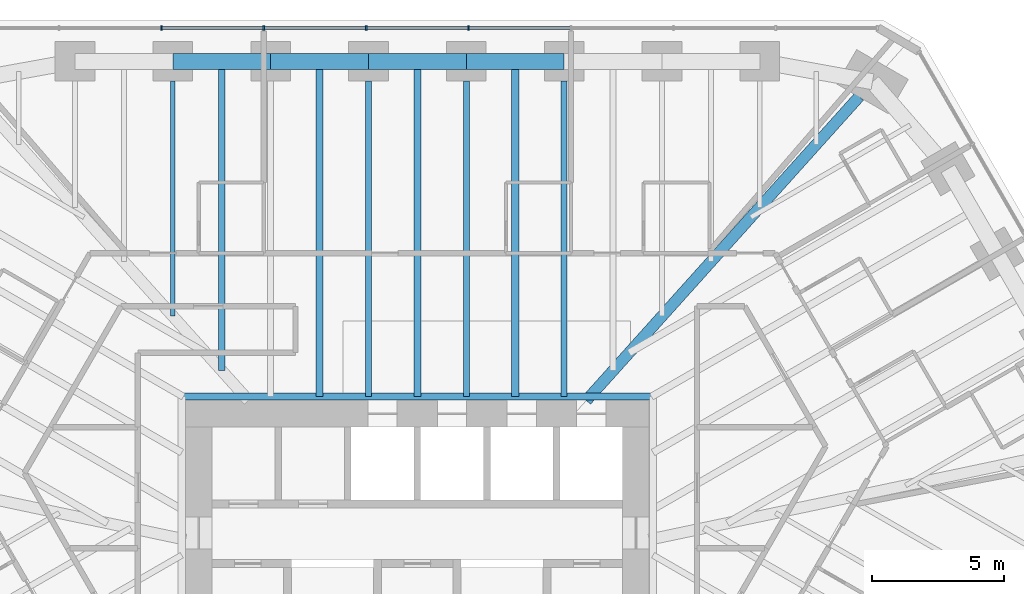
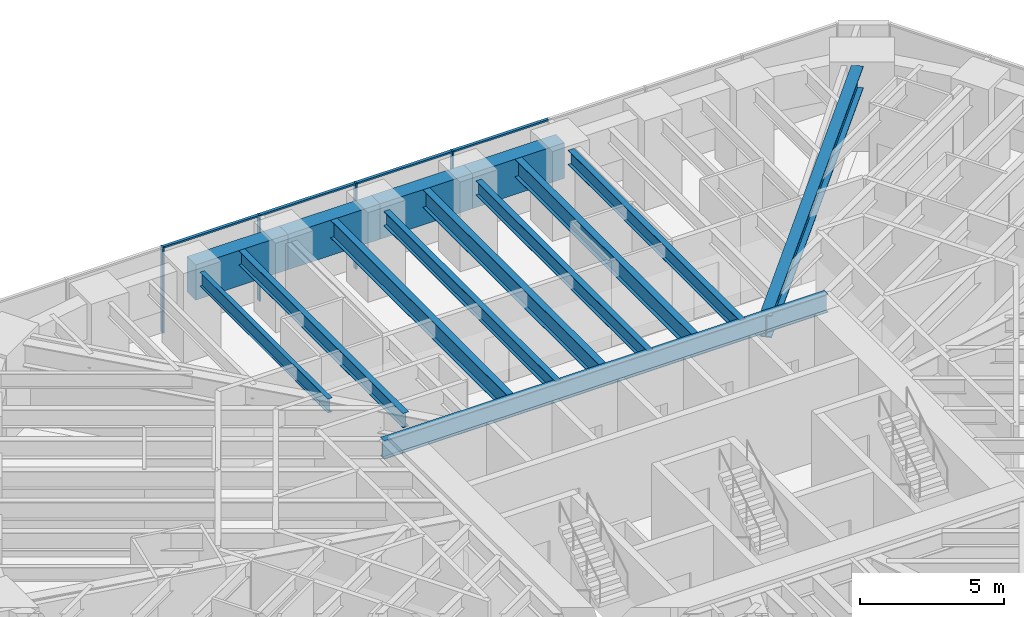
# One storey, part 8 of 17: 14 beams, 8 members, 1 element without a shape of its own.
"""IFC4 building model written with IfcOpenShell, lengths in metres."""

from ifc_helpers import new_model, si_unit, direction, frame, origin, origin_2d, place, context, subcontext, project, spatial, rectangle, i_section, extrude, material, material_profile, profile_set, type_object, element, aggregate, save


model = new_model("IFC4")

# Units and contexts
model_context = context("Model", 3, precision=1e-05, world=origin(), true_north=direction((0.0, 1.0)))
body_context = subcontext(model_context, "Body", "Model", "MODEL_VIEW")
ifc_project = project(units=[si_unit("LENGTHUNIT", "METRE"), si_unit("AREAUNIT", "SQUARE_METRE"), si_unit("VOLUMEUNIT", "CUBIC_METRE"), si_unit("PLANEANGLEUNIT", "RADIAN"), si_unit("MASSUNIT", "GRAM", prefix="KILO")], contexts=[model_context])

# Site, building, storey
site_placement = place(None, origin())
site = spatial("IfcSite", under=ifc_project, at=site_placement, CompositionType="ELEMENT")
building_placement = place(site_placement, origin())
building = spatial("IfcBuilding", under=site, at=building_placement, Name="Sandreach Pilgrim Tower", CompositionType="ELEMENT")
storey_placement = place(building_placement, frame((0.0, 0.0, 221.199951171875)))
storey = spatial("IfcBuildingStorey", under=building, at=storey_placement, Name="L55", CompositionType="ELEMENT", Elevation=221.199951171875)

# Curtain wall, members
ifc_material_1 = material(Name="Aluminium framed curtain wall", Category="aluminium")
curtain_wall_type = type_object("IfcCurtainWallType", Name="Upper hotel tower curtain wall", PredefinedType="NOTDEFINED", material=ifc_material_1)
curtain_wall_placement = place(storey_placement, origin())
curtain_wall = element("IfcCurtainWall", 1, at=curtain_wall_placement, inside=storey, type_object=curtain_wall_type, Name="CW-3 L55 N", PredefinedType="NOTDEFINED")
ifc_material_2 = material(Name="Aluminium extrusion", Category="aluminium")
ifc_material_profile_1 = material_profile(ifc_material_2, rectangle(XDim=0.06494140625, YDim=0.159912109375, at=origin_2d()), Name="CW-3M 65X160")
ifc_profile_set_1 = profile_set([ifc_material_profile_1], Name="Aluminium extrusion")
member_type_1 = type_object("IfcMemberType", Name="CW-3 mullion", PredefinedType="MULLION", material=ifc_profile_set_1)
member_1_placement = place(storey_placement, frame((-9.6611328125, 21.16015625, 0.0), z_axis=(0.0, 0.0, 1.0), x_axis=(1.0, 0.0, 0.0)))
member_1 = element("IfcMember", 2, at=member_1_placement, type_object=member_type_1, Name="CW-3 mullion 3", PredefinedType="MULLION", context=body_context, shape_type="SweptSolid", body=[
    extrude(rectangle(XDim=0.06494140625, YDim=0.159912109375, at=origin_2d()), origin(), (0.0, 0.0, 1.0), 3.64013671875),
])
member_2_placement = place(storey_placement, frame((-5.796630859375, 21.16015625, 0.0), z_axis=(0.0, 0.0, 1.0), x_axis=(1.0, 0.0, 0.0)))
member_2 = element("IfcMember", 3, at=member_2_placement, type_object=member_type_1, Name="CW-3 mullion 4", PredefinedType="MULLION", context=body_context, shape_type="SweptSolid", body=[
    extrude(rectangle(XDim=0.06494140625, YDim=0.159912109375, at=origin_2d()), origin(), (0.0, 0.0, 1.0), 3.64013671875),
])
member_3_placement = place(storey_placement, frame((-1.93212890625, 21.16015625, 0.0), z_axis=(0.0, 0.0, 1.0), x_axis=(1.0, 0.0, 0.0)))
member_3 = element("IfcMember", 4, at=member_3_placement, type_object=member_type_1, Name="CW-3 mullion 5", PredefinedType="MULLION", context=body_context, shape_type="SweptSolid", body=[
    extrude(rectangle(XDim=0.06494140625, YDim=0.159912109375, at=origin_2d()), origin(), (0.0, 0.0, 1.0), 3.64013671875),
])
member_4_placement = place(storey_placement, frame((1.93212890625, 21.16015625, 0.0), z_axis=(0.0, 0.0, 1.0), x_axis=(1.0, 0.0, 0.0)))
member_4 = element("IfcMember", 5, at=member_4_placement, type_object=member_type_1, Name="CW-3 mullion 6", PredefinedType="MULLION", context=body_context, shape_type="SweptSolid", body=[
    extrude(rectangle(XDim=0.06494140625, YDim=0.159912109375, at=origin_2d()), origin(), (0.0, 0.0, 1.0), 3.64013671875),
])
ifc_material_3 = material(Name="Aluminium extrusion", Category="aluminium")
ifc_material_profile_2 = material_profile(ifc_material_3, rectangle(XDim=0.1201171875, YDim=0.070068359375, at=origin_2d()), Name="CW-3T 120X70")
ifc_profile_set_2 = profile_set([ifc_material_profile_2], Name="Aluminium extrusion")
member_type_2 = type_object("IfcMemberType", Name="CW-3 transom", PredefinedType="USERDEFINED", material=ifc_profile_set_2)
member_5_placement = place(storey_placement, frame((-9.628662109375, 21.16015625, 3.60498046875), z_axis=(1.0, 0.0, 0.0), x_axis=(0.0, 1.0, 0.0)))
member_5 = element("IfcMember", 6, at=member_5_placement, type_object=member_type_2, Name="CW-3 head transom 3", ObjectType="TRANSOM", PredefinedType="USERDEFINED", context=body_context, shape_type="SweptSolid", body=[
    extrude(rectangle(XDim=0.1201171875, YDim=0.070068359375, at=origin_2d()), origin(), (0.0, 0.0, 1.0), 3.799560546875),
])
member_6_placement = place(storey_placement, frame((-5.76416015625, 21.16015625, 3.60498046875), z_axis=(1.0, 0.0, 0.0), x_axis=(0.0, 1.0, 0.0)))
member_6 = element("IfcMember", 7, at=member_6_placement, type_object=member_type_2, Name="CW-3 head transom 4", ObjectType="TRANSOM", PredefinedType="USERDEFINED", context=body_context, shape_type="SweptSolid", body=[
    extrude(rectangle(XDim=0.1201171875, YDim=0.070068359375, at=origin_2d()), origin(), (0.0, 0.0, 1.0), 3.799560546875),
])
member_7_placement = place(storey_placement, frame((-1.899658203125, 21.16015625, 3.60498046875), z_axis=(1.0, 0.0, 0.0), x_axis=(0.0, 1.0, 0.0)))
member_7 = element("IfcMember", 8, at=member_7_placement, type_object=member_type_2, Name="CW-3 head transom 5", ObjectType="TRANSOM", PredefinedType="USERDEFINED", context=body_context, shape_type="SweptSolid", body=[
    extrude(rectangle(XDim=0.1201171875, YDim=0.070068359375, at=origin_2d()), origin(), (0.0, 0.0, 1.0), 3.79931640625),
])
member_8_placement = place(storey_placement, frame((1.964599609375, 21.16015625, 3.60498046875), z_axis=(1.0, 0.0, 0.0), x_axis=(0.0, 1.0, 0.0)))
member_8 = element("IfcMember", 9, at=member_8_placement, type_object=member_type_2, Name="CW-3 head transom 6", ObjectType="TRANSOM", PredefinedType="USERDEFINED", context=body_context, shape_type="SweptSolid", body=[
    extrude(rectangle(XDim=0.1201171875, YDim=0.070068359375, at=origin_2d()), origin(), (0.0, 0.0, 1.0), 3.799560546875),
])
aggregate(curtain_wall, [member_1, member_2, member_3, member_4, member_5, member_6, member_7, member_8])

# Beams
ifc_material_4 = material(Name="Steel ASTM A992 Grade 50", Category="steel")
ifc_material_profile_3 = material_profile(ifc_material_4, i_section(OverallWidth=0.2666015625, OverallDepth=0.77978515625, WebThickness=0.0166015625, FlangeThickness=0.030029296875, at=origin_2d()), Name="W30X148")
ifc_profile_set_3 = profile_set([ifc_material_profile_3], Name="Steel ASTM A992 Grade 50")
beam_type_1 = type_object("IfcBeamType", Name="Core edge beam W30X148", PredefinedType="BEAM", material=ifc_profile_set_3)
beam_1_placement = place(storey_placement, frame((-8.893310546875, 7.243408203125, 3.250244140625), z_axis=(1.0, 0.0, 0.0), x_axis=(0.0, 1.0, 0.0)))
element("IfcBeam", 10, at=beam_1_placement, inside=storey, type_object=beam_type_1, Name="BM L55 CEN", PredefinedType="BEAM", context=body_context, shape_type="SweptSolid", body=[
    extrude(i_section(OverallWidth=0.2666015625, OverallDepth=0.77978515625, WebThickness=0.0166015625, FlangeThickness=0.030029296875, at=origin_2d()), origin(), (0.0, 0.0, 1.0), 17.78662109375),
])
ifc_material_5 = material(Name="Steel ASTM A992 Grade 50", Category="steel")
ifc_material_profile_4 = material_profile(ifc_material_5, i_section(OverallWidth=0.424072265625, OverallDepth=0.947509765625, WebThickness=0.02392578125, FlangeThickness=0.042724609375, at=origin_2d()), Name="W36X302")
ifc_profile_set_4 = profile_set([ifc_material_profile_4], Name="Steel ASTM A992 Grade 50")
beam_type_2 = type_object("IfcBeamType", Name="Corner girder W36X302", PredefinedType="BEAM", material=ifc_profile_set_4)
beam_2_placement = place(storey_placement, frame((16.677001953125, 18.572509765625, 3.166259765625), z_axis=(-0.668116607722, -0.744056582853, 0.0), x_axis=(0.744056582853, -0.668116607722, 0.0)))
element("IfcBeam", 11, at=beam_2_placement, inside=storey, type_object=beam_type_2, Name="BM L55 CG09", PredefinedType="BEAM", context=body_context, shape_type="SweptSolid", body=[
    extrude(i_section(OverallWidth=0.424072265625, OverallDepth=0.947509765625, WebThickness=0.02392578125, FlangeThickness=0.042724609375, at=origin_2d()), origin(), (0.0, 0.0, 1.0), 15.418701171875),
])
ifc_material_6 = material(Name="Steel ASTM A992 Grade 50", Category="steel")
ifc_material_profile_5 = material_profile(ifc_material_6, i_section(OverallWidth=0.1787109375, OverallDepth=0.60205078125, WebThickness=0.010986328125, FlangeThickness=0.014892578125, at=origin_2d()), Name="W24X62")
ifc_profile_set_5 = profile_set([ifc_material_profile_5], Name="Steel ASTM A992 Grade 50")
beam_type_3 = type_object("IfcBeamType", Name="Floor beam W24X62", PredefinedType="BEAM", material=ifc_profile_set_5)
beam_3_placement = place(storey_placement, frame((-9.231201171875, 19.150146484375, 3.339111328125), z_axis=(0.0, -1.0, 0.0), x_axis=(1.0, 0.0, 0.0)))
element("IfcBeam", 12, at=beam_3_placement, inside=storey, type_object=beam_type_3, Name="BM L55 F02", PredefinedType="BEAM", context=body_context, shape_type="SweptSolid", body=[
    extrude(i_section(OverallWidth=0.1787109375, OverallDepth=0.60205078125, WebThickness=0.010986328125, FlangeThickness=0.014892578125, at=origin_2d()), origin(), (0.0, 0.0, 1.0), 8.86962890625),
])
ifc_material_7 = material(Name="Steel ASTM A992 Grade 50", Category="steel")
ifc_material_profile_6 = material_profile(ifc_material_7, i_section(OverallWidth=0.23046875, OverallDepth=0.6171875, WebThickness=0.01318359375, FlangeThickness=0.022216796875, at=origin_2d()), Name="W24X94")
ifc_profile_set_6 = profile_set([ifc_material_profile_6], Name="Steel ASTM A992 Grade 50")
beam_type_4 = type_object("IfcBeamType", Name="Floor beam W24X94", PredefinedType="BEAM", material=ifc_profile_set_6)
for number, where, z_axis, x_axis, name in (
    (13, (-1.84619140625, 19.150146484375, 3.33154296875), (0.0, -1.0, 0.0), (1.0, 0.0, 0.0), "BM L55 F04"),
    (14, (1.84619140625, 19.150146484375, 3.33154296875), (0.0, -1.0, 0.0), (1.0, 0.0, 0.0), "BM L55 F05"),
    (15, (5.538818359375, 19.150146484375, 3.33154296875), (0.0, -1.0, 0.0), (1.0, 0.0, 0.0), "BM L55 F06"),
):
    element("IfcBeam", number, at=place(storey_placement, frame(where, z_axis=z_axis, x_axis=x_axis)), inside=storey, type_object=beam_type_4, Name=name, PredefinedType="BEAM", context=body_context, shape_type="SweptSolid", body=[
        extrude(i_section(OverallWidth=0.23046875, OverallDepth=0.6171875, WebThickness=0.01318359375, FlangeThickness=0.022216796875, at=origin_2d()), origin(), (0.0, 0.0, 1.0), 11.90673828125),
    ])
beam_4_placement = place(storey_placement, frame((-7.385009765625, 19.900146484375, 3.33154296875), z_axis=(0.0, -1.0, 0.0), x_axis=(1.0, 0.0, 0.0)))
element("IfcBeam", 16, at=beam_4_placement, inside=storey, type_object=beam_type_4, Name="BM L55 FM02", PredefinedType="BEAM", context=body_context, shape_type="SweptSolid", body=[
    extrude(i_section(OverallWidth=0.23046875, OverallDepth=0.6171875, WebThickness=0.01318359375, FlangeThickness=0.022216796875, at=origin_2d()), origin(), (0.0, 0.0, 1.0), 11.67578125),
])
ifc_material_8 = material(Name="Steel ASTM A992 Grade 50", Category="steel")
ifc_material_profile_7 = material_profile(ifc_material_8, i_section(OverallWidth=0.2666015625, OverallDepth=0.761962890625, WebThickness=0.014404296875, FlangeThickness=0.021484375, at=origin_2d()), Name="W30X116")
ifc_profile_set_7 = profile_set([ifc_material_profile_7], Name="Steel ASTM A992 Grade 50")
beam_type_5 = type_object("IfcBeamType", Name="Floor beam W30X116", PredefinedType="BEAM", material=ifc_profile_set_7)
for number, where, z_axis, x_axis, name in (
    (17, (-3.6923828125, 19.900146484375, 3.259033203125), (0.0, -1.0, 0.0), (1.0, 0.0, 0.0), "BM L55 FM03"),
    (18, (0.0, 19.900146484375, 3.259033203125), (0.0, -1.0, 0.0), (1.0, 0.0, 0.0), "BM L55 FM04"),
    (19, (3.6923828125, 19.900146484375, 3.259033203125), (0.0, -1.0, 0.0), (1.0, 0.0, 0.0), "BM L55 FM05"),
):
    element("IfcBeam", number, at=place(storey_placement, frame(where, z_axis=z_axis, x_axis=x_axis)), inside=storey, type_object=beam_type_5, Name=name, PredefinedType="BEAM", context=body_context, shape_type="SweptSolid", body=[
        extrude(i_section(OverallWidth=0.2666015625, OverallDepth=0.761962890625, WebThickness=0.014404296875, FlangeThickness=0.021484375, at=origin_2d()), origin(), (0.0, 0.0, 1.0), 12.65673828125),
    ])
ifc_material_9 = material(Name="Concrete 10000 psi", Category="concrete")
ifc_material_profile_8 = material_profile(ifc_material_9, rectangle(XDim=0.60009765625, YDim=1.5, at=origin_2d()), Name="RC600X1500")
ifc_profile_set_8 = profile_set([ifc_material_profile_8], Name="Concrete 10000 psi")
beam_type_6 = type_object("IfcBeamType", Name="Spandrel beam RC600X1500", PredefinedType="SPANDREL", material=ifc_profile_set_8)
beam_5_placement = place(storey_placement, frame((-9.231201171875, 19.900146484375, 2.89013671875), z_axis=(1.0, 0.0, 0.0), x_axis=(0.0, 1.0, 0.0)))
element("IfcBeam", 20, at=beam_5_placement, inside=storey, type_object=beam_type_6, Name="BM L55 SP02", PredefinedType="SPANDREL", context=body_context, shape_type="SweptSolid", body=[
    extrude(rectangle(XDim=0.60009765625, YDim=1.5, at=origin_2d()), origin(), (0.0, 0.0, 1.0), 3.6923828125),
])
beam_6_placement = place(storey_placement, frame((-5.538818359375, 19.900146484375, 2.89013671875), z_axis=(1.0, 0.0, 0.0), x_axis=(0.0, 1.0, 0.0)))
element("IfcBeam", 21, at=beam_6_placement, inside=storey, type_object=beam_type_6, Name="BM L55 SP03", PredefinedType="SPANDREL", context=body_context, shape_type="SweptSolid", body=[
    extrude(rectangle(XDim=0.60009765625, YDim=1.5, at=origin_2d()), origin(), (0.0, 0.0, 1.0), 3.692626953125),
])
beam_7_placement = place(storey_placement, frame((-1.84619140625, 19.900146484375, 2.89013671875), z_axis=(1.0, 0.0, 0.0), x_axis=(0.0, 1.0, 0.0)))
element("IfcBeam", 22, at=beam_7_placement, inside=storey, type_object=beam_type_6, Name="BM L55 SP04", PredefinedType="SPANDREL", context=body_context, shape_type="SweptSolid", body=[
    extrude(rectangle(XDim=0.60009765625, YDim=1.5, at=origin_2d()), origin(), (0.0, 0.0, 1.0), 3.6923828125),
])
beam_8_placement = place(storey_placement, frame((1.84619140625, 19.900146484375, 2.89013671875), z_axis=(1.0, 0.0, 0.0), x_axis=(0.0, 1.0, 0.0)))
element("IfcBeam", 23, at=beam_8_placement, inside=storey, type_object=beam_type_6, Name="BM L55 SP05", PredefinedType="SPANDREL", context=body_context, shape_type="SweptSolid", body=[
    extrude(rectangle(XDim=0.60009765625, YDim=1.5, at=origin_2d()), origin(), (0.0, 0.0, 1.0), 3.692626953125),
])

save(model, "model.ifc")
